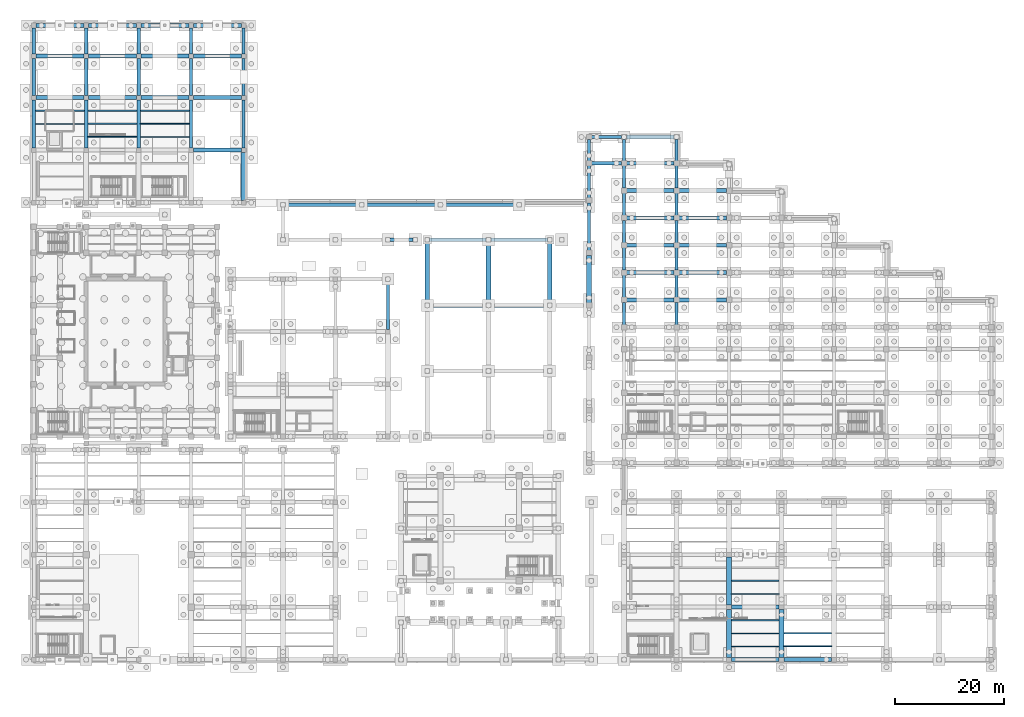
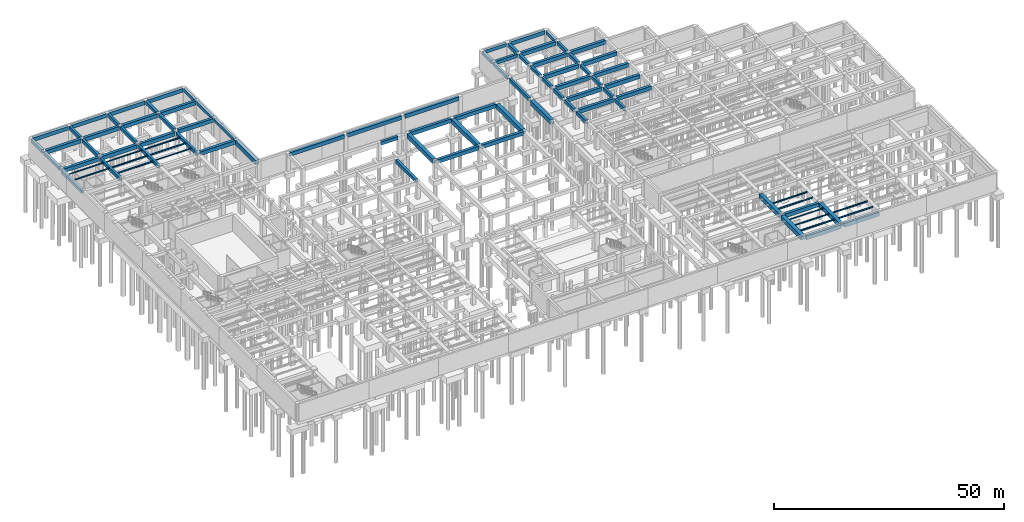
# One storey, part 28 of 56: 94 beams.
"""IFC4 building model written with IfcOpenShell, lengths in metres."""

import ifcopenshell
import ifcopenshell.guid

model = None  # the IFC model being written
_history = None  # IfcOwnerHistory: only IFC2X3 demands one
_inside = {}  # id of a spatial element -> (the spatial element, [elements in it])
_under = {}  # id of a project, library or spatial element -> (it, [spatial elements below it])
_declared = {}  # id of a project -> (the project, [libraries it declares])
_typed = {}  # id of a type object -> (the type object, [elements of that type])
_made_of = {}  # id of a material, layer set ... -> (it, [elements and type objects made of it])


def new_model(schema):
    """Start an empty IFC model of exactly this schema.

    Asked for "IFC4X3", IfcOpenShell would pick the latest addendum, in which some entities
    have other attributes; the version numbers below select the first issue.
    IFC2X3 requires an IfcOwnerHistory on every rooted entity: one is made here for all.
    """
    global model, _history
    if schema == "IFC4X3":
        model = ifcopenshell.file(schema_version=(4, 3, 0, 0))
    else:
        model = ifcopenshell.file(schema=schema)
    _inside.clear()
    _under.clear()
    _declared.clear()
    _typed.clear()
    _made_of.clear()
    _history = None
    if model.schema == "IFC2X3":
        org = make("IfcOrganization", Name="unknown")
        user = make(
            "IfcPersonAndOrganization",
            ThePerson=make("IfcPerson", FamilyName="unknown"),
            TheOrganization=org,
        )
        app = make(
            "IfcApplication",
            ApplicationDeveloper=org,
            Version="unknown",
            ApplicationFullName="unknown",
            ApplicationIdentifier="unknown",
        )
        _history = make(
            "IfcOwnerHistory",
            OwningUser=user,
            OwningApplication=app,
            ChangeAction="ADDED",
            CreationDate=0,
        )
    return model


def make(cls, **values):
    """One entity of the class cls with the attributes given. An attribute that is None is left unset."""
    return model.create_entity(
        cls, **{name: value for name, value in values.items() if value is not None}
    )


def rooted(cls, **values):
    """An entity with a GlobalId (a new one), such as an element, a storey or a relation."""
    return make(cls, GlobalId=ifcopenshell.guid.new(), OwnerHistory=_history, **values)


def si_unit(unit_type, name, prefix=None):
    """IfcSIUnit, for example si_unit("LENGTHUNIT", "METRE", prefix="MILLI")."""
    return make("IfcSIUnit", UnitType=unit_type, Prefix=prefix, Name=name)


def assignment(units):
    """IfcUnitAssignment: the units of a project."""
    return None if units is None else make("IfcUnitAssignment", Units=units)


def point(xyz):
    """IfcCartesianPoint."""
    return None if xyz is None else make("IfcCartesianPoint", Coordinates=xyz)


def direction(xyz):
    """IfcDirection."""
    return None if xyz is None else make("IfcDirection", DirectionRatios=xyz)


def frame(location, z_axis=None, x_axis=None):
    """IfcAxis2Placement3D, a coordinate frame: its origin and axes. An axis left out is left unset."""
    return make(
        "IfcAxis2Placement3D",
        Location=point(location),
        Axis=direction(z_axis),
        RefDirection=direction(x_axis),
    )


def frame_2d(location, x_axis=None):
    """IfcAxis2Placement2D, a coordinate frame in the plane: its origin and x axis."""
    return make(
        "IfcAxis2Placement2D", Location=point(location), RefDirection=direction(x_axis)
    )


def origin():
    """The frame at (0, 0, 0) with its axes left unset."""
    return frame((0.0, 0.0, 0.0))


def origin_2d():
    """The frame at (0, 0) in the plane with its x axis left unset."""
    return frame_2d((0.0, 0.0))


def place(relative_to, where):
    """IfcLocalPlacement: puts the frame where relative to a parent placement (None: the world)."""
    return make(
        "IfcLocalPlacement", PlacementRelTo=relative_to, RelativePlacement=where
    )


def context(
    kind, dimensions, precision=None, world=None, true_north=None, identifier=None
):
    """IfcGeometricRepresentationContext, for example the 3D "Model" context."""
    return make(
        "IfcGeometricRepresentationContext",
        ContextIdentifier=identifier,
        ContextType=kind,
        CoordinateSpaceDimension=dimensions,
        Precision=precision,
        WorldCoordinateSystem=world,
        TrueNorth=true_north,
    )


def subcontext(parent, identifier, kind, view, scale=None):
    """IfcGeometricRepresentationSubContext, for example "Body" below "Model"."""
    return make(
        "IfcGeometricRepresentationSubContext",
        ContextIdentifier=identifier,
        ContextType=kind,
        ParentContext=parent,
        TargetScale=scale,
        TargetView=view,
    )


def project(units=None, contexts=None):
    """IfcProject with its units and contexts."""
    return rooted(
        "IfcProject",
        Name="project",
        RepresentationContexts=contexts,
        UnitsInContext=assignment(units),
    )


def spatial(cls, under=None, at=None, **own):
    """A site, building, storey or space (cls), placed at a placement, below another one or the project."""
    s = rooted(cls, ObjectPlacement=at, **own)
    if under is not None:
        _under.setdefault(under.id(), (under, []))[1].append(s)
    return s


def profile(cls, at=None, kind="AREA", **sizes):
    """A parametric profile (cls). Its sizes go by their IFC names, for example OverallWidth=200.0."""
    return make(cls, ProfileType=kind, Position=at, **sizes)


def rectangle(**sizes):
    """IfcRectangleProfileDef."""
    return profile("IfcRectangleProfileDef", **sizes)


def i_section(**sizes):
    """IfcIShapeProfileDef."""
    return profile("IfcIShapeProfileDef", **sizes)


def extrude(swept, where, along, depth):
    """IfcExtrudedAreaSolid: the profile swept, set in the frame where, extruded along a direction by depth."""
    return make(
        "IfcExtrudedAreaSolid",
        SweptArea=swept,
        Position=where,
        ExtrudedDirection=direction(along),
        Depth=depth,
    )


def shape(context_of_items, identifier, shape_type, items):
    """IfcShapeRepresentation: the items that make up one representation, for example the "Body"."""
    return make(
        "IfcShapeRepresentation",
        ContextOfItems=context_of_items,
        RepresentationIdentifier=identifier,
        RepresentationType=shape_type,
        Items=items,
    )


def material(Name=None, Category=None):
    """IfcMaterial."""
    return make("IfcMaterial", Name=Name, Category=Category)


def material_profile(
    of_material, cross_section, Name=None, Category=None, Priority=None
):
    """IfcMaterialProfile: a cross section and its material."""
    return make(
        "IfcMaterialProfile",
        Name=Name,
        Material=of_material,
        Profile=cross_section,
        Priority=Priority,
        Category=Category,
    )


def profile_set(profiles, Name=None, composite=None):
    """IfcMaterialProfileSet."""
    return make(
        "IfcMaterialProfileSet",
        Name=Name,
        MaterialProfiles=profiles,
        CompositeProfile=composite,
    )


def made_of(thing, what):
    """Note that an element or type object is made of a material, layer set ...; save() writes the relation."""
    if what is not None:
        _made_of.setdefault(what.id(), (what, []))[1].append(thing)
    return thing


def type_object(cls, material=None, **own):
    """A type object (cls), such as IfcWallType, which elements share."""
    return made_of(rooted(cls, **own), material)


def element(
    cls,
    number,
    at=None,
    inside=None,
    cuts=None,
    type_object=None,
    material=None,
    context=None,
    identifier="Body",
    shape_type=None,
    held_by="IfcProductDefinitionShape",
    body=None,
    shapes=None,
    **own,
):
    """One element of the class cls, such as IfcWall. Its Tag is "e" and its number.

    at: its placement. inside: the storey or other place that contains it. cuts: it is an
    opening in that element (IfcRelVoidsElement). A single representation is given by context,
    identifier, shape_type and body (its items); several are given by shapes. held_by: the class
    of the entity that holds the representations. save() writes the other relations.
    """
    e = rooted(cls, Tag="e%d" % number, ObjectPlacement=at, **own)
    if body is not None:
        shapes = [shape(context, identifier, shape_type, body)]
    if shapes is not None:
        e.Representation = make(held_by, Representations=shapes)
    if inside is not None:
        _inside.setdefault(inside.id(), (inside, []))[1].append(e)
    if cuts is not None:
        rooted(
            "IfcRelVoidsElement", RelatingBuildingElement=cuts, RelatedOpeningElement=e
        )
    if type_object is not None:
        _typed.setdefault(type_object.id(), (type_object, []))[1].append(e)
    return made_of(e, material)


def aggregate(whole, parts):
    """IfcRelAggregates: a whole, such as a stair, and the parts it consists of."""
    return rooted("IfcRelAggregates", RelatingObject=whole, RelatedObjects=parts)


def save(model, path):
    """Write the relations noted so far, then the file.

    IfcRelAggregates (storeys below a building ...), IfcRelContainedInSpatialStructure (elements
    in a storey), IfcRelDefinesByType, IfcRelAssociatesMaterial and IfcRelDeclares: one each for
    every whole, place, type object, material and project.
    """
    for whole, parts in _under.values():
        aggregate(whole, parts)
    for where, things in _inside.values():
        rooted(
            "IfcRelContainedInSpatialStructure",
            RelatedElements=things,
            RelatingStructure=where,
        )
    for kind, things in _typed.values():
        rooted("IfcRelDefinesByType", RelatedObjects=things, RelatingType=kind)
    for what, things in _made_of.values():
        rooted("IfcRelAssociatesMaterial", RelatedObjects=things, RelatingMaterial=what)
    for by, libraries in _declared.values():
        rooted("IfcRelDeclares", RelatingContext=by, RelatedDefinitions=libraries)
    model.write(path)


model = new_model("IFC4")

# Units and contexts
model_context = context("Model", 3, precision=1e-05, world=origin(), true_north=direction((0.0, 1.0)))
body_context = subcontext(model_context, "Body", "Model", "MODEL_VIEW")
ifc_project = project(units=[si_unit("LENGTHUNIT", "METRE"), si_unit("AREAUNIT", "SQUARE_METRE"), si_unit("VOLUMEUNIT", "CUBIC_METRE"), si_unit("PLANEANGLEUNIT", "RADIAN"), si_unit("MASSUNIT", "GRAM", prefix="KILO")], contexts=[model_context])

# Site, building, storey
site_placement = place(None, origin())
site = spatial("IfcSite", under=ifc_project, at=site_placement, CompositionType="ELEMENT")
building_placement = place(site_placement, origin())
building = spatial("IfcBuilding", under=site, at=building_placement, Name="Mavantir Sound Aquarium", CompositionType="ELEMENT")
storey_placement = place(building_placement, frame((0.0, 0.0, -9.60009765625)))
storey = spatial("IfcBuildingStorey", under=building, at=storey_placement, Name="B2", CompositionType="ELEMENT", Elevation=-9.60009765625)

# Beams
ifc_material_1 = material(Name="Concrete C40/50", Category="concrete")
ifc_material_profile_1 = material_profile(ifc_material_1, rectangle(XDim=0.60009765625, YDim=0.89990234375, at=origin_2d()), Name="RC 600X900")
ifc_profile_set_1 = profile_set([ifc_material_profile_1], Name="Concrete C40/50")
beam_type_1 = type_object("IfcBeamType", Name="BM-RC600X900-E", PredefinedType="BEAM", material=ifc_profile_set_1)
beam_1_placement = place(storey_placement, frame((64.800048828125, 60.425048828125, 4.34619140625), z_axis=(0.0, 1.0, 0.0), x_axis=(-1.0, 0.0, 0.0)))
element("IfcBeam", 1, at=beam_1_placement, inside=storey, type_object=beam_type_1, Name="B2 primary girder RCB-09 125", PredefinedType="BEAM", context=body_context, shape_type="SweptSolid", body=[
    extrude(rectangle(XDim=0.60009765625, YDim=0.89990234375, at=origin_2d()), origin(), (0.0, 0.0, 1.0), 8.75),
])
beam_2_placement = place(storey_placement, frame((102.050048828125, 95.60009765625, 4.34619140625), z_axis=(1.0, 0.0, 0.0), x_axis=(0.0, 1.0, 0.0)))
element("IfcBeam", 2, at=beam_2_placement, inside=storey, type_object=beam_type_1, Name="B2 primary beam RCB-09 235", PredefinedType="BEAM", context=body_context, shape_type="SweptSolid", body=[
    extrude(rectangle(XDim=0.60009765625, YDim=0.89990234375, at=origin_2d()), origin(), (0.0, 0.0, 1.0), 5.5),
])
beam_3_placement = place(storey_placement, frame((101.60009765625, 74.85009765625, 4.34619140625), z_axis=(0.0, 1.0, 0.0), x_axis=(-1.0, 0.0, 0.0)))
element("IfcBeam", 3, at=beam_3_placement, inside=storey, type_object=beam_type_1, Name="B2 primary girder RCB-09 241", PredefinedType="BEAM", context=body_context, shape_type="SweptSolid", body=[
    extrude(rectangle(XDim=0.60009765625, YDim=0.89990234375, at=origin_2d()), origin(), (0.0, 0.0, 1.0), 8.699951171875),
])
beam_4_placement = place(storey_placement, frame((101.60009765625, 84.449951171875, 4.34619140625), z_axis=(0.0, 1.0, 0.0), x_axis=(-1.0, 0.0, 0.0)))
element("IfcBeam", 4, at=beam_4_placement, inside=storey, type_object=beam_type_1, Name="B2 primary girder RCB-09 242", PredefinedType="BEAM", context=body_context, shape_type="SweptSolid", body=[
    extrude(rectangle(XDim=0.60009765625, YDim=0.89990234375, at=origin_2d()), origin(), (0.0, 0.0, 1.0), 5.900146484375),
])
beam_5_placement = place(storey_placement, frame((101.60009765625, 91.25, 4.34619140625), z_axis=(0.0, 1.0, 0.0), x_axis=(-1.0, 0.0, 0.0)))
element("IfcBeam", 5, at=beam_5_placement, inside=storey, type_object=beam_type_1, Name="B2 primary girder RCB-09 243", PredefinedType="BEAM", context=body_context, shape_type="SweptSolid", body=[
    extrude(rectangle(XDim=0.60009765625, YDim=0.89990234375, at=origin_2d()), origin(), (0.0, 0.0, 1.0), 3.89990234375),
])
beam_6_placement = place(storey_placement, frame((0.0, 93.625, 4.046142578125), z_axis=(0.0, 1.0, 0.0), x_axis=(-1.0, 0.0, 0.0)))
element("IfcBeam", 6, at=beam_6_placement, inside=storey, type_object=beam_type_1, Name="B2 primary girder RCB-09 332", PredefinedType="BEAM", context=body_context, shape_type="SweptSolid", body=[
    extrude(rectangle(XDim=0.60009765625, YDim=0.89990234375, at=origin_2d()), origin(), (0.0, 0.0, 1.0), 8.75),
])
beam_7_placement = place(storey_placement, frame((0.0, 103.22509765625, 4.34619140625), z_axis=(0.0, 1.0, 0.0), x_axis=(-1.0, 0.0, 0.0)))
element("IfcBeam", 7, at=beam_7_placement, inside=storey, type_object=beam_type_1, Name="B2 primary girder RCB-09 333", PredefinedType="BEAM", context=body_context, shape_type="SweptSolid", body=[
    extrude(rectangle(XDim=0.60009765625, YDim=0.89990234375, at=origin_2d()), origin(), (0.0, 0.0, 1.0), 6.75),
])
beam_8_placement = place(storey_placement, frame((0.0, 110.824951171875, 4.34619140625), z_axis=(0.0, 1.0, 0.0), x_axis=(-1.0, 0.0, 0.0)))
element("IfcBeam", 8, at=beam_8_placement, inside=storey, type_object=beam_type_1, Name="B2 primary girder RCB-09 334", PredefinedType="BEAM", context=body_context, shape_type="SweptSolid", body=[
    extrude(rectangle(XDim=0.60009765625, YDim=0.89990234375, at=origin_2d()), origin(), (0.0, 0.0, 1.0), 4.75),
])
beam_9_placement = place(storey_placement, frame((38.39990234375, 93.625, 4.34619140625), z_axis=(0.0, 1.0, 0.0), x_axis=(-1.0, 0.0, 0.0)))
element("IfcBeam", 9, at=beam_9_placement, inside=storey, type_object=beam_type_1, Name="B2 primary girder RCB-09 348", PredefinedType="BEAM", context=body_context, shape_type="SweptSolid", body=[
    extrude(rectangle(XDim=0.60009765625, YDim=0.89990234375, at=origin_2d()), origin(), (0.0, 0.0, 1.0), 8.75),
])
beam_10_placement = place(storey_placement, frame((38.39990234375, 103.22509765625, 4.34619140625), z_axis=(0.0, 1.0, 0.0), x_axis=(-1.0, 0.0, 0.0)))
element("IfcBeam", 10, at=beam_10_placement, inside=storey, type_object=beam_type_1, Name="B2 primary girder RCB-09 349", PredefinedType="BEAM", context=body_context, shape_type="SweptSolid", body=[
    extrude(rectangle(XDim=0.60009765625, YDim=0.89990234375, at=origin_2d()), origin(), (0.0, 0.0, 1.0), 6.75),
])
beam_11_placement = place(storey_placement, frame((38.39990234375, 110.824951171875, 4.34619140625), z_axis=(0.0, 1.0, 0.0), x_axis=(-1.0, 0.0, 0.0)))
element("IfcBeam", 11, at=beam_11_placement, inside=storey, type_object=beam_type_1, Name="B2 primary girder RCB-09 350", PredefinedType="BEAM", context=body_context, shape_type="SweptSolid", body=[
    extrude(rectangle(XDim=0.60009765625, YDim=0.89990234375, at=origin_2d()), origin(), (0.0, 0.0, 1.0), 4.75),
])
ifc_material_profile_2 = material_profile(ifc_material_1, rectangle(XDim=0.60009765625, YDim=0.89990234375, at=origin_2d()), Name="RC 600X900")
ifc_profile_set_2 = profile_set([ifc_material_profile_2], Name="Concrete C40/50")
beam_type_2 = type_object("IfcBeamType", Name="BM-RC600X900-I", PredefinedType="BEAM", material=ifc_profile_set_2)
beam_12_placement = place(storey_placement, frame((65.22509765625, 76.800048828125, 4.34619140625), z_axis=(1.0, 0.0, 0.0), x_axis=(0.0, 1.0, 0.0)))
element("IfcBeam", 12, at=beam_12_placement, inside=storey, type_object=beam_type_2, Name="B2 primary beam RCB-09 17", PredefinedType="BEAM", context=body_context, shape_type="SweptSolid", body=[
    extrude(rectangle(XDim=0.60009765625, YDim=0.89990234375, at=origin_2d()), origin(), (0.0, 0.0, 1.0), 4.14990234375),
])
beam_13_placement = place(storey_placement, frame((102.050048828125, 90.800048828125, 4.34619140625), z_axis=(1.0, 0.0, 0.0), x_axis=(0.0, 1.0, 0.0)))
element("IfcBeam", 13, at=beam_13_placement, inside=storey, type_object=beam_type_2, Name="B2 primary beam RCB-09 233", PredefinedType="BEAM", context=body_context, shape_type="SweptSolid", body=[
    extrude(rectangle(XDim=0.60009765625, YDim=0.89990234375, at=origin_2d()), origin(), (0.0, 0.0, 1.0), 5.5),
])
for number, where, z_axis, x_axis, name in (
    (14, (108.0, 61.25, 4.34619140625), (0.0, 1.0, 0.0), (-1.0, 0.0, 0.0), "B2 primary girder RCB-09 248"),
    (15, (108.0, 66.25, 4.34619140625), (0.0, 1.0, 0.0), (-1.0, 0.0, 0.0), "B2 primary girder RCB-09 249"),
    (16, (108.0, 71.25, 4.34619140625), (0.0, 1.0, 0.0), (-1.0, 0.0, 0.0), "B2 primary girder RCB-09 250"),
    (17, (108.0, 76.25, 4.34619140625), (0.0, 1.0, 0.0), (-1.0, 0.0, 0.0), "B2 primary girder RCB-09 251"),
    (18, (108.0, 81.25, 4.34619140625), (0.0, 1.0, 0.0), (-1.0, 0.0, 0.0), "B2 primary girder RCB-09 252"),
    (19, (108.0, 86.25, 4.34619140625), (0.0, 1.0, 0.0), (-1.0, 0.0, 0.0), "B2 primary girder RCB-09 253"),
):
    element("IfcBeam", number, at=place(storey_placement, frame(where, z_axis=z_axis, x_axis=x_axis)), inside=storey, type_object=beam_type_2, Name=name, PredefinedType="BEAM", context=body_context, shape_type="SweptSolid", body=[
        extrude(rectangle(XDim=0.60009765625, YDim=0.89990234375, at=origin_2d()), origin(), (0.0, 0.0, 1.0), 4.10009765625),
    ])
beam_14_placement = place(storey_placement, frame((108.0, 91.25, 4.34619140625), z_axis=(0.0, 1.0, 0.0), x_axis=(-1.0, 0.0, 0.0)))
element("IfcBeam", 20, at=beam_14_placement, inside=storey, type_object=beam_type_2, Name="B2 primary girder RCB-09 254", PredefinedType="BEAM", context=body_context, shape_type="SweptSolid", body=[
    extrude(rectangle(XDim=0.60009765625, YDim=0.89990234375, at=origin_2d()), origin(), (0.0, 0.0, 1.0), 3.89990234375),
])
for number, where, z_axis, x_axis, name in (
    (21, (117.60009765625, 61.25, 4.34619140625), (0.0, 1.0, 0.0), (-1.0, 0.0, 0.0), "B2 primary girder RCB-09 259"),
    (22, (117.60009765625, 66.25, 4.34619140625), (0.0, 1.0, 0.0), (-1.0, 0.0, 0.0), "B2 primary girder RCB-09 260"),
    (23, (117.60009765625, 71.25, 4.34619140625), (0.0, 1.0, 0.0), (-1.0, 0.0, 0.0), "B2 primary girder RCB-09 261"),
    (24, (117.60009765625, 76.25, 4.34619140625), (0.0, 1.0, 0.0), (-1.0, 0.0, 0.0), "B2 primary girder RCB-09 262"),
    (25, (117.60009765625, 81.25, 4.34619140625), (0.0, 1.0, 0.0), (-1.0, 0.0, 0.0), "B2 primary girder RCB-09 263"),
    (26, (117.60009765625, 86.25, 4.34619140625), (0.0, 1.0, 0.0), (-1.0, 0.0, 0.0), "B2 primary girder RCB-09 264"),
):
    element("IfcBeam", number, at=place(storey_placement, frame(where, z_axis=z_axis, x_axis=x_axis)), inside=storey, type_object=beam_type_2, Name=name, PredefinedType="BEAM", context=body_context, shape_type="SweptSolid", body=[
        extrude(rectangle(XDim=0.60009765625, YDim=0.89990234375, at=origin_2d()), origin(), (0.0, 0.0, 1.0), 4.10009765625),
    ])
beam_15_placement = place(storey_placement, frame((117.60009765625, 91.25, 4.34619140625), z_axis=(0.0, 1.0, 0.0), x_axis=(-1.0, 0.0, 0.0)))
element("IfcBeam", 27, at=beam_15_placement, inside=storey, type_object=beam_type_2, Name="B2 primary girder RCB-09 265", PredefinedType="BEAM", context=body_context, shape_type="SweptSolid", body=[
    extrude(rectangle(XDim=0.60009765625, YDim=0.89990234375, at=origin_2d()), origin(), (0.0, 0.0, 1.0), 3.89990234375),
])
beam_16_placement = place(storey_placement, frame((9.60009765625, 93.625, 4.046142578125), z_axis=(0.0, 1.0, 0.0), x_axis=(-1.0, 0.0, 0.0)))
element("IfcBeam", 28, at=beam_16_placement, inside=storey, type_object=beam_type_2, Name="B2 primary girder RCB-09 336", PredefinedType="BEAM", context=body_context, shape_type="SweptSolid", body=[
    extrude(rectangle(XDim=0.60009765625, YDim=0.89990234375, at=origin_2d()), origin(), (0.0, 0.0, 1.0), 8.75),
])
beam_17_placement = place(storey_placement, frame((9.60009765625, 103.22509765625, 4.34619140625), z_axis=(0.0, 1.0, 0.0), x_axis=(-1.0, 0.0, 0.0)))
element("IfcBeam", 29, at=beam_17_placement, inside=storey, type_object=beam_type_2, Name="B2 primary girder RCB-09 337", PredefinedType="BEAM", context=body_context, shape_type="SweptSolid", body=[
    extrude(rectangle(XDim=0.60009765625, YDim=0.89990234375, at=origin_2d()), origin(), (0.0, 0.0, 1.0), 6.75),
])
beam_18_placement = place(storey_placement, frame((9.60009765625, 110.824951171875, 4.34619140625), z_axis=(0.0, 1.0, 0.0), x_axis=(-1.0, 0.0, 0.0)))
element("IfcBeam", 30, at=beam_18_placement, inside=storey, type_object=beam_type_2, Name="B2 primary girder RCB-09 338", PredefinedType="BEAM", context=body_context, shape_type="SweptSolid", body=[
    extrude(rectangle(XDim=0.60009765625, YDim=0.89990234375, at=origin_2d()), origin(), (0.0, 0.0, 1.0), 4.75),
])
beam_19_placement = place(storey_placement, frame((19.199951171875, 93.625, 4.046142578125), z_axis=(0.0, 1.0, 0.0), x_axis=(-1.0, 0.0, 0.0)))
element("IfcBeam", 31, at=beam_19_placement, inside=storey, type_object=beam_type_2, Name="B2 primary girder RCB-09 340", PredefinedType="BEAM", context=body_context, shape_type="SweptSolid", body=[
    extrude(rectangle(XDim=0.60009765625, YDim=0.89990234375, at=origin_2d()), origin(), (0.0, 0.0, 1.0), 8.75),
])
beam_20_placement = place(storey_placement, frame((19.199951171875, 103.22509765625, 4.34619140625), z_axis=(0.0, 1.0, 0.0), x_axis=(-1.0, 0.0, 0.0)))
element("IfcBeam", 32, at=beam_20_placement, inside=storey, type_object=beam_type_2, Name="B2 primary girder RCB-09 341", PredefinedType="BEAM", context=body_context, shape_type="SweptSolid", body=[
    extrude(rectangle(XDim=0.60009765625, YDim=0.89990234375, at=origin_2d()), origin(), (0.0, 0.0, 1.0), 6.75),
])
beam_21_placement = place(storey_placement, frame((19.199951171875, 110.824951171875, 4.34619140625), z_axis=(0.0, 1.0, 0.0), x_axis=(-1.0, 0.0, 0.0)))
element("IfcBeam", 33, at=beam_21_placement, inside=storey, type_object=beam_type_2, Name="B2 primary girder RCB-09 342", PredefinedType="BEAM", context=body_context, shape_type="SweptSolid", body=[
    extrude(rectangle(XDim=0.60009765625, YDim=0.89990234375, at=origin_2d()), origin(), (0.0, 0.0, 1.0), 4.75),
])
beam_22_placement = place(storey_placement, frame((28.800048828125, 93.625, 4.046142578125), z_axis=(0.0, 1.0, 0.0), x_axis=(-1.0, 0.0, 0.0)))
element("IfcBeam", 34, at=beam_22_placement, inside=storey, type_object=beam_type_2, Name="B2 primary girder RCB-09 344", PredefinedType="BEAM", context=body_context, shape_type="SweptSolid", body=[
    extrude(rectangle(XDim=0.60009765625, YDim=0.89990234375, at=origin_2d()), origin(), (0.0, 0.0, 1.0), 8.75),
])
beam_23_placement = place(storey_placement, frame((28.800048828125, 103.22509765625, 4.34619140625), z_axis=(0.0, 1.0, 0.0), x_axis=(-1.0, 0.0, 0.0)))
element("IfcBeam", 35, at=beam_23_placement, inside=storey, type_object=beam_type_2, Name="B2 primary girder RCB-09 345", PredefinedType="BEAM", context=body_context, shape_type="SweptSolid", body=[
    extrude(rectangle(XDim=0.60009765625, YDim=0.89990234375, at=origin_2d()), origin(), (0.0, 0.0, 1.0), 6.75),
])
beam_24_placement = place(storey_placement, frame((28.800048828125, 110.824951171875, 4.34619140625), z_axis=(0.0, 1.0, 0.0), x_axis=(-1.0, 0.0, 0.0)))
element("IfcBeam", 36, at=beam_24_placement, inside=storey, type_object=beam_type_2, Name="B2 primary girder RCB-09 346", PredefinedType="BEAM", context=body_context, shape_type="SweptSolid", body=[
    extrude(rectangle(XDim=0.60009765625, YDim=0.89990234375, at=origin_2d()), origin(), (0.0, 0.0, 1.0), 4.75),
])
ifc_material_profile_3 = material_profile(ifc_material_1, rectangle(XDim=0.699951171875, YDim=1.0, at=origin_2d()), Name="RC 700X1000")
ifc_profile_set_3 = profile_set([ifc_material_profile_3], Name="Concrete C40/50")
beam_type_3 = type_object("IfcBeamType", Name="BM-RC700X1000-E", PredefinedType="BEAM", material=ifc_profile_set_3)
beam_25_placement = place(storey_placement, frame((108.449951171875, 95.60009765625, 4.296142578125), z_axis=(1.0, 0.0, 0.0), x_axis=(0.0, 1.0, 0.0)))
element("IfcBeam", 37, at=beam_25_placement, inside=storey, type_object=beam_type_3, Name="B2 primary beam RCB-10 236", PredefinedType="BEAM", context=body_context, shape_type="SweptSolid", body=[
    extrude(rectangle(XDim=0.699951171875, YDim=1.0, at=origin_2d()), origin(), (0.0, 0.0, 1.0), 8.699951171875),
])
for number, where, z_axis, x_axis, name in (
    (38, (0.425048828125, 116.0, 4.296142578125), (1.0, 0.0, 0.0), (0.0, 1.0, 0.0), "B2 primary beam RCB-10 327"),
    (39, (10.02490234375, 116.0, 4.296142578125), (1.0, 0.0, 0.0), (0.0, 1.0, 0.0), "B2 primary beam RCB-10 328"),
    (40, (19.625, 116.0, 4.296142578125), (1.0, 0.0, 0.0), (0.0, 1.0, 0.0), "B2 primary beam RCB-10 329"),
    (41, (29.22509765625, 116.0, 4.296142578125), (1.0, 0.0, 0.0), (0.0, 1.0, 0.0), "B2 primary beam RCB-10 330"),
    (42, (127.625, 0.0, 3.946044921875), (1.0, 0.0, 0.0), (0.0, 1.0, 0.0), "B2 primary beam RCB-10 353"),
    (43, (137.22509765625, 0.0, 3.946044921875), (1.0, 0.0, 0.0), (0.0, 1.0, 0.0), "B2 primary beam RCB-10 354"),
):
    element("IfcBeam", number, at=place(storey_placement, frame(where, z_axis=z_axis, x_axis=x_axis)), inside=storey, type_object=beam_type_3, Name=name, PredefinedType="BEAM", context=body_context, shape_type="SweptSolid", body=[
        extrude(rectangle(XDim=0.699951171875, YDim=1.0, at=origin_2d()), origin(), (0.0, 0.0, 1.0), 8.75),
    ])
ifc_material_profile_4 = material_profile(ifc_material_1, rectangle(XDim=0.699951171875, YDim=1.0, at=origin_2d()), Name="RC 700X1000")
ifc_profile_set_4 = profile_set([ifc_material_profile_4], Name="Concrete C40/50")
beam_type_4 = type_object("IfcBeamType", Name="BM-RC700X1000-I", PredefinedType="BEAM", material=ifc_profile_set_4)
beam_26_placement = place(storey_placement, frame((72.425048828125, 64.800048828125, 4.296142578125), z_axis=(1.0, 0.0, 0.0), x_axis=(0.0, 1.0, 0.0)))
element("IfcBeam", 44, at=beam_26_placement, inside=storey, type_object=beam_type_4, Name="B2 primary beam RCB-10 13", PredefinedType="BEAM", context=body_context, shape_type="SweptSolid", body=[
    extrude(rectangle(XDim=0.699951171875, YDim=1.0, at=origin_2d()), origin(), (0.0, 0.0, 1.0), 10.349853515625),
])
beam_27_placement = place(storey_placement, frame((83.625, 64.800048828125, 4.296142578125), z_axis=(1.0, 0.0, 0.0), x_axis=(0.0, 1.0, 0.0)))
element("IfcBeam", 45, at=beam_27_placement, inside=storey, type_object=beam_type_4, Name="B2 primary beam RCB-10 14", PredefinedType="BEAM", context=body_context, shape_type="SweptSolid", body=[
    extrude(rectangle(XDim=0.699951171875, YDim=1.0, at=origin_2d()), origin(), (0.0, 0.0, 1.0), 10.35009765625),
])
beam_28_placement = place(storey_placement, frame((72.425048828125, 76.800048828125, 4.296142578125), z_axis=(1.0, 0.0, 0.0), x_axis=(0.0, 1.0, 0.0)))
element("IfcBeam", 46, at=beam_28_placement, inside=storey, type_object=beam_type_4, Name="B2 primary beam RCB-10 18", PredefinedType="BEAM", context=body_context, shape_type="SweptSolid", body=[
    extrude(rectangle(XDim=0.699951171875, YDim=1.0, at=origin_2d()), origin(), (0.0, 0.0, 1.0), 10.349853515625),
])
beam_29_placement = place(storey_placement, frame((83.625, 76.800048828125, 4.296142578125), z_axis=(1.0, 0.0, 0.0), x_axis=(0.0, 1.0, 0.0)))
element("IfcBeam", 47, at=beam_29_placement, inside=storey, type_object=beam_type_4, Name="B2 primary beam RCB-10 19", PredefinedType="BEAM", context=body_context, shape_type="SweptSolid", body=[
    extrude(rectangle(XDim=0.699951171875, YDim=1.0, at=origin_2d()), origin(), (0.0, 0.0, 1.0), 10.35009765625),
])
for number, where, z_axis, x_axis, name in (
    (48, (46.02490234375, 83.199951171875, 4.296142578125), (1.0, 0.0, 0.0), (0.0, 1.0, 0.0), "B2 primary beam RCB-10 21"),
    (49, (60.425048828125, 83.199951171875, 4.296142578125), (1.0, 0.0, 0.0), (0.0, 1.0, 0.0), "B2 primary beam RCB-10 22"),
    (50, (74.824951171875, 83.199951171875, 4.296142578125), (1.0, 0.0, 0.0), (0.0, 1.0, 0.0), "B2 primary beam RCB-10 23"),
):
    element("IfcBeam", number, at=place(storey_placement, frame(where, z_axis=z_axis, x_axis=x_axis)), inside=storey, type_object=beam_type_4, Name=name, PredefinedType="BEAM", context=body_context, shape_type="SweptSolid", body=[
        extrude(rectangle(XDim=0.699951171875, YDim=1.0, at=origin_2d()), origin(), (0.0, 0.0, 1.0), 13.550048828125),
    ])
for number, where, z_axis, x_axis, name in (
    (51, (108.449951171875, 65.800048828125, 4.296142578125), (1.0, 0.0, 0.0), (0.0, 1.0, 0.0), "B2 primary beam RCB-10 213"),
    (52, (118.050048828125, 65.800048828125, 4.296142578125), (1.0, 0.0, 0.0), (0.0, 1.0, 0.0), "B2 primary beam RCB-10 214"),
    (53, (108.449951171875, 70.800048828125, 4.296142578125), (1.0, 0.0, 0.0), (0.0, 1.0, 0.0), "B2 primary beam RCB-10 219"),
    (54, (118.050048828125, 70.800048828125, 4.296142578125), (1.0, 0.0, 0.0), (0.0, 1.0, 0.0), "B2 primary beam RCB-10 220"),
    (55, (108.449951171875, 75.800048828125, 4.296142578125), (1.0, 0.0, 0.0), (0.0, 1.0, 0.0), "B2 primary beam RCB-10 224"),
    (56, (118.050048828125, 75.800048828125, 4.296142578125), (1.0, 0.0, 0.0), (0.0, 1.0, 0.0), "B2 primary beam RCB-10 225"),
    (57, (108.449951171875, 80.800048828125, 4.296142578125), (1.0, 0.0, 0.0), (0.0, 1.0, 0.0), "B2 primary beam RCB-10 228"),
    (58, (118.050048828125, 80.800048828125, 4.296142578125), (1.0, 0.0, 0.0), (0.0, 1.0, 0.0), "B2 primary beam RCB-10 229"),
    (59, (108.449951171875, 85.800048828125, 4.296142578125), (1.0, 0.0, 0.0), (0.0, 1.0, 0.0), "B2 primary beam RCB-10 231"),
    (60, (118.050048828125, 85.800048828125, 4.296142578125), (1.0, 0.0, 0.0), (0.0, 1.0, 0.0), "B2 primary beam RCB-10 232"),
    (61, (108.449951171875, 90.800048828125, 4.296142578125), (1.0, 0.0, 0.0), (0.0, 1.0, 0.0), "B2 primary beam RCB-10 234"),
):
    element("IfcBeam", number, at=place(storey_placement, frame(where, z_axis=z_axis, x_axis=x_axis)), inside=storey, type_object=beam_type_4, Name=name, PredefinedType="BEAM", context=body_context, shape_type="SweptSolid", body=[
        extrude(rectangle(XDim=0.699951171875, YDim=1.0, at=origin_2d()), origin(), (0.0, 0.0, 1.0), 8.699951171875),
    ])
for number, where, z_axis, x_axis, name in (
    (62, (29.22509765625, 93.199951171875, 4.296142578125), (1.0, 0.0, 0.0), (0.0, 1.0, 0.0), "B2 primary beam RCB-10 318"),
    (63, (0.425048828125, 102.800048828125, 3.99609375), (1.0, 0.0, 0.0), (0.0, 1.0, 0.0), "B2 primary beam RCB-10 319"),
    (64, (10.02490234375, 102.800048828125, 3.99609375), (1.0, 0.0, 0.0), (0.0, 1.0, 0.0), "B2 primary beam RCB-10 320"),
    (65, (19.625, 102.800048828125, 3.99609375), (1.0, 0.0, 0.0), (0.0, 1.0, 0.0), "B2 primary beam RCB-10 321"),
    (66, (29.22509765625, 102.800048828125, 4.296142578125), (1.0, 0.0, 0.0), (0.0, 1.0, 0.0), "B2 primary beam RCB-10 322"),
    (67, (0.425048828125, 110.39990234375, 4.296142578125), (1.0, 0.0, 0.0), (0.0, 1.0, 0.0), "B2 primary beam RCB-10 323"),
    (68, (10.02490234375, 110.39990234375, 4.296142578125), (1.0, 0.0, 0.0), (0.0, 1.0, 0.0), "B2 primary beam RCB-10 324"),
    (69, (19.625, 110.39990234375, 4.296142578125), (1.0, 0.0, 0.0), (0.0, 1.0, 0.0), "B2 primary beam RCB-10 325"),
    (70, (29.22509765625, 110.39990234375, 4.296142578125), (1.0, 0.0, 0.0), (0.0, 1.0, 0.0), "B2 primary beam RCB-10 326"),
    (71, (127.625, 9.60009765625, 3.946044921875), (1.0, 0.0, 0.0), (0.0, 1.0, 0.0), "B2 primary beam RCB-10 360"),
):
    element("IfcBeam", number, at=place(storey_placement, frame(where, z_axis=z_axis, x_axis=x_axis)), inside=storey, type_object=beam_type_4, Name=name, PredefinedType="BEAM", context=body_context, shape_type="SweptSolid", body=[
        extrude(rectangle(XDim=0.699951171875, YDim=1.0, at=origin_2d()), origin(), (0.0, 0.0, 1.0), 8.75),
    ])
ifc_material_profile_5 = material_profile(ifc_material_1, rectangle(XDim=0.89990234375, YDim=1.199951171875, at=origin_2d()), Name="RC 900X1200")
ifc_profile_set_5 = profile_set([ifc_material_profile_5], Name="Concrete C40/50")
beam_type_5 = type_object("IfcBeamType", Name="BM-RC900X1200-E", PredefinedType="BEAM", material=ifc_profile_set_5)
beam_30_placement = place(storey_placement, frame((101.60009765625, 65.25, 4.196044921875), z_axis=(0.0, 1.0, 0.0), x_axis=(-1.0, 0.0, 0.0)))
element("IfcBeam", 72, at=beam_30_placement, inside=storey, type_object=beam_type_5, Name="B2 primary girder RCB-12 240", PredefinedType="BEAM", context=body_context, shape_type="SweptSolid", body=[
    extrude(rectangle(XDim=0.89990234375, YDim=1.199951171875, at=origin_2d()), origin(), (0.0, 0.0, 1.0), 8.699951171875),
])
beam_31_placement = place(storey_placement, frame((38.39990234375, 84.02490234375, 4.196044921875), z_axis=(0.0, 1.0, 0.0), x_axis=(-1.0, 0.0, 0.0)))
element("IfcBeam", 73, at=beam_31_placement, inside=storey, type_object=beam_type_5, Name="B2 primary girder RCB-12 347", PredefinedType="BEAM", context=body_context, shape_type="SweptSolid", body=[
    extrude(rectangle(XDim=0.89990234375, YDim=1.199951171875, at=origin_2d()), origin(), (0.0, 0.0, 1.0), 8.75),
])
ifc_material_profile_6 = material_profile(ifc_material_1, rectangle(XDim=0.89990234375, YDim=1.199951171875, at=origin_2d()), Name="RC 900X1200")
ifc_profile_set_6 = profile_set([ifc_material_profile_6], Name="Concrete C40/50")
beam_type_6 = type_object("IfcBeamType", Name="BM-RC900X1200-I", PredefinedType="BEAM", material=ifc_profile_set_6)
for number, where, z_axis, x_axis, name in (
    (74, (72.0, 65.22509765625, 4.196044921875), (0.0, 1.0, 0.0), (-1.0, 0.0, 0.0), "B2 primary girder RCB-12 28"),
    (75, (83.199951171875, 65.22509765625, 4.196044921875), (0.0, 1.0, 0.0), (-1.0, 0.0, 0.0), "B2 primary girder RCB-12 32"),
    (76, (94.39990234375, 65.22509765625, 4.196044921875), (0.0, 1.0, 0.0), (-1.0, 0.0, 0.0), "B2 primary girder RCB-12 36"),
):
    element("IfcBeam", number, at=place(storey_placement, frame(where, z_axis=z_axis, x_axis=x_axis)), inside=storey, type_object=beam_type_6, Name=name, PredefinedType="BEAM", context=body_context, shape_type="SweptSolid", body=[
        extrude(rectangle(XDim=0.89990234375, YDim=1.199951171875, at=origin_2d()), origin(), (0.0, 0.0, 1.0), 11.14990234375),
    ])
for number, where, z_axis, x_axis, name in (
    (77, (127.199951171875, 0.425048828125, 3.84619140625), (0.0, 1.0, 0.0), (-1.0, 0.0, 0.0), "B2 primary girder RCB-12 385"),
    (78, (127.199951171875, 10.02490234375, 3.84619140625), (0.0, 1.0, 0.0), (-1.0, 0.0, 0.0), "B2 primary girder RCB-12 386"),
    (79, (136.800048828125, 0.425048828125, 3.84619140625), (0.0, 1.0, 0.0), (-1.0, 0.0, 0.0), "B2 primary girder RCB-12 388"),
):
    element("IfcBeam", number, at=place(storey_placement, frame(where, z_axis=z_axis, x_axis=x_axis)), inside=storey, type_object=beam_type_6, Name=name, PredefinedType="BEAM", context=body_context, shape_type="SweptSolid", body=[
        extrude(rectangle(XDim=0.89990234375, YDim=1.199951171875, at=origin_2d()), origin(), (0.0, 0.0, 1.0), 8.75),
    ])
ifc_material_2 = material(Name="Structural Steel ASTM A992 Gr50", Category="steel")
ifc_material_profile_7 = material_profile(ifc_material_2, i_section(OverallWidth=0.202880859375, OverallDepth=0.251953125, WebThickness=0.008056640625, FlangeThickness=0.013427734375, FilletRadius=0.011962890625, at=origin_2d()), Name="W250X58")
ifc_profile_set_7 = profile_set([ifc_material_profile_7], Name="Structural Steel ASTM A992 Gr50")
beam_type_7 = type_object("IfcBeamType", Name="BM-W250X58-I", PredefinedType="JOIST", material=ifc_profile_set_7)
for number, where, z_axis, x_axis, name in (
    (80, (0.300048828125, 100.39990234375, 4.3701171875), (1.0, 0.0, 0.0), (0.0, 1.0, 0.0), "B2 secondary floor joist SJ-25 104"),
    (81, (19.5, 95.60009765625, 4.3701171875), (1.0, 0.0, 0.0), (0.0, 1.0, 0.0), "B2 secondary floor joist SJ-25 108"),
):
    element("IfcBeam", number, at=place(storey_placement, frame(where, z_axis=z_axis, x_axis=x_axis)), inside=storey, type_object=beam_type_7, Name=name, PredefinedType="JOIST", context=body_context, shape_type="SweptSolid", body=[
        extrude(i_section(OverallWidth=0.202880859375, OverallDepth=0.251953125, WebThickness=0.008056640625, FlangeThickness=0.013427734375, FilletRadius=0.011962890625, at=origin_2d()), origin(), (0.0, 0.0, 1.0), 9.0),
    ])
beam_32_placement = place(storey_placement, frame((127.64990234375, 7.199951171875, 4.320068359375), z_axis=(1.0, 0.0, 0.0), x_axis=(0.0, 1.0, 0.0)))
element("IfcBeam", 82, at=beam_32_placement, inside=storey, type_object=beam_type_7, Name="B2 secondary floor joist SJ-25 116", PredefinedType="JOIST", context=body_context, shape_type="SweptSolid", body=[
    extrude(i_section(OverallWidth=0.202880859375, OverallDepth=0.251953125, WebThickness=0.008056640625, FlangeThickness=0.013427734375, FilletRadius=0.011962890625, at=origin_2d()), origin(), (0.0, 0.0, 1.0), 8.7001953125),
])
ifc_material_profile_8 = material_profile(ifc_material_2, i_section(OverallWidth=0.205078125, OverallDepth=0.31005859375, WebThickness=0.009521484375, FlangeThickness=0.016357421875, FilletRadius=0.012939453125, at=origin_2d()), Name="W310X74")
ifc_profile_set_8 = profile_set([ifc_material_profile_8], Name="Structural Steel ASTM A992 Gr50")
beam_type_8 = type_object("IfcBeamType", Name="BM-W310X74-I", PredefinedType="JOIST", material=ifc_profile_set_8)
for number, where, z_axis, x_axis, name in (
    (83, (0.300048828125, 98.0, 4.341064453125), (1.0, 0.0, 0.0), (0.0, 1.0, 0.0), "B2 secondary floor joist SJ-31 103"),
    (84, (9.89990234375, 100.39990234375, 4.341064453125), (1.0, 0.0, 0.0), (0.0, 1.0, 0.0), "B2 secondary floor joist SJ-31 107"),
):
    element("IfcBeam", number, at=place(storey_placement, frame(where, z_axis=z_axis, x_axis=x_axis)), inside=storey, type_object=beam_type_8, Name=name, PredefinedType="JOIST", context=body_context, shape_type="SweptSolid", body=[
        extrude(i_section(OverallWidth=0.205078125, OverallDepth=0.31005859375, WebThickness=0.009521484375, FlangeThickness=0.016357421875, FilletRadius=0.012939453125, at=origin_2d()), origin(), (0.0, 0.0, 1.0), 9.0),
    ])
beam_33_placement = place(storey_placement, frame((127.64990234375, 4.800048828125, 4.291015625), z_axis=(1.0, 0.0, 0.0), x_axis=(0.0, 1.0, 0.0)))
element("IfcBeam", 85, at=beam_33_placement, inside=storey, type_object=beam_type_8, Name="B2 secondary floor joist SJ-31 115", PredefinedType="JOIST", context=body_context, shape_type="SweptSolid", body=[
    extrude(i_section(OverallWidth=0.205078125, OverallDepth=0.31005859375, WebThickness=0.009521484375, FlangeThickness=0.016357421875, FilletRadius=0.012939453125, at=origin_2d()), origin(), (0.0, 0.0, 1.0), 8.7001953125),
])
ifc_material_profile_9 = material_profile(ifc_material_2, i_section(OverallWidth=0.25390625, OverallDepth=0.35302734375, WebThickness=0.009521484375, FlangeThickness=0.016357421875, FilletRadius=0.014892578125, at=origin_2d()), Name="W360X91")
ifc_profile_set_9 = profile_set([ifc_material_profile_9], Name="Structural Steel ASTM A992 Gr50")
beam_type_9 = type_object("IfcBeamType", Name="BM-W360X91-I", PredefinedType="JOIST", material=ifc_profile_set_9)
for number, where, z_axis, x_axis, name in (
    (86, (9.89990234375, 98.0, 4.319580078125), (1.0, 0.0, 0.0), (0.0, 1.0, 0.0), "B2 secondary floor joist SJ-36 106"),
    (87, (19.5, 100.39990234375, 4.319580078125), (1.0, 0.0, 0.0), (0.0, 1.0, 0.0), "B2 secondary floor joist SJ-36 110"),
):
    element("IfcBeam", number, at=place(storey_placement, frame(where, z_axis=z_axis, x_axis=x_axis)), inside=storey, type_object=beam_type_9, Name=name, PredefinedType="JOIST", context=body_context, shape_type="SweptSolid", body=[
        extrude(i_section(OverallWidth=0.25390625, OverallDepth=0.35302734375, WebThickness=0.009521484375, FlangeThickness=0.016357421875, FilletRadius=0.014892578125, at=origin_2d()), origin(), (0.0, 0.0, 1.0), 9.0),
    ])
beam_34_placement = place(storey_placement, frame((127.64990234375, 2.39990234375, 4.26953125), z_axis=(1.0, 0.0, 0.0), x_axis=(0.0, 1.0, 0.0)))
element("IfcBeam", 88, at=beam_34_placement, inside=storey, type_object=beam_type_9, Name="B2 secondary floor joist SJ-36 114", PredefinedType="JOIST", context=body_context, shape_type="SweptSolid", body=[
    extrude(i_section(OverallWidth=0.25390625, OverallDepth=0.35302734375, WebThickness=0.009521484375, FlangeThickness=0.016357421875, FilletRadius=0.014892578125, at=origin_2d()), origin(), (0.0, 0.0, 1.0), 8.7001953125),
])
beam_35_placement = place(storey_placement, frame((137.25, 4.800048828125, 4.26953125), z_axis=(1.0, 0.0, 0.0), x_axis=(0.0, 1.0, 0.0)))
element("IfcBeam", 89, at=beam_35_placement, inside=storey, type_object=beam_type_9, Name="B2 secondary floor joist SJ-36 118", PredefinedType="JOIST", context=body_context, shape_type="SweptSolid", body=[
    extrude(i_section(OverallWidth=0.25390625, OverallDepth=0.35302734375, WebThickness=0.009521484375, FlangeThickness=0.016357421875, FilletRadius=0.014892578125, at=origin_2d()), origin(), (0.0, 0.0, 1.0), 8.699951171875),
])
beam_36_placement = place(storey_placement, frame((127.64990234375, 14.39990234375, 4.26953125), z_axis=(1.0, 0.0, 0.0), x_axis=(0.0, 1.0, 0.0)))
element("IfcBeam", 90, at=beam_36_placement, inside=storey, type_object=beam_type_9, Name="B2 secondary floor joist SJ-36 130", PredefinedType="JOIST", context=body_context, shape_type="SweptSolid", body=[
    extrude(i_section(OverallWidth=0.25390625, OverallDepth=0.35302734375, WebThickness=0.009521484375, FlangeThickness=0.016357421875, FilletRadius=0.014892578125, at=origin_2d()), origin(), (0.0, 0.0, 1.0), 8.7001953125),
])
ifc_material_profile_10 = material_profile(ifc_material_2, i_section(OverallWidth=0.180908203125, OverallDepth=0.4169921875, WebThickness=0.010986328125, FlangeThickness=0.018310546875, FilletRadius=0.014892578125, at=origin_2d()), Name="W410X85")
ifc_profile_set_10 = profile_set([ifc_material_profile_10], Name="Structural Steel ASTM A992 Gr50")
beam_type_10 = type_object("IfcBeamType", Name="BM-W410X85-I", PredefinedType="JOIST", material=ifc_profile_set_10)
for number, where, z_axis, x_axis, name in (
    (91, (9.89990234375, 95.60009765625, 4.28759765625), (1.0, 0.0, 0.0), (0.0, 1.0, 0.0), "B2 secondary floor joist SJ-41 105"),
    (92, (19.5, 98.0, 4.28759765625), (1.0, 0.0, 0.0), (0.0, 1.0, 0.0), "B2 secondary floor joist SJ-41 109"),
):
    element("IfcBeam", number, at=place(storey_placement, frame(where, z_axis=z_axis, x_axis=x_axis)), inside=storey, type_object=beam_type_10, Name=name, PredefinedType="JOIST", context=body_context, shape_type="SweptSolid", body=[
        extrude(i_section(OverallWidth=0.180908203125, OverallDepth=0.4169921875, WebThickness=0.010986328125, FlangeThickness=0.018310546875, FilletRadius=0.014892578125, at=origin_2d()), origin(), (0.0, 0.0, 1.0), 9.0),
    ])
beam_37_placement = place(storey_placement, frame((137.25, 2.39990234375, 4.237548828125), z_axis=(1.0, 0.0, 0.0), x_axis=(0.0, 1.0, 0.0)))
element("IfcBeam", 93, at=beam_37_placement, inside=storey, type_object=beam_type_10, Name="B2 secondary floor joist SJ-41 117", PredefinedType="JOIST", context=body_context, shape_type="SweptSolid", body=[
    extrude(i_section(OverallWidth=0.180908203125, OverallDepth=0.4169921875, WebThickness=0.010986328125, FlangeThickness=0.018310546875, FilletRadius=0.014892578125, at=origin_2d()), origin(), (0.0, 0.0, 1.0), 8.699951171875),
])
beam_38_placement = place(storey_placement, frame((127.64990234375, 12.0, 4.237548828125), z_axis=(1.0, 0.0, 0.0), x_axis=(0.0, 1.0, 0.0)))
element("IfcBeam", 94, at=beam_38_placement, inside=storey, type_object=beam_type_10, Name="B2 secondary floor joist SJ-41 129", PredefinedType="JOIST", context=body_context, shape_type="SweptSolid", body=[
    extrude(i_section(OverallWidth=0.180908203125, OverallDepth=0.4169921875, WebThickness=0.010986328125, FlangeThickness=0.018310546875, FilletRadius=0.014892578125, at=origin_2d()), origin(), (0.0, 0.0, 1.0), 8.7001953125),
])

save(model, "model.ifc")
